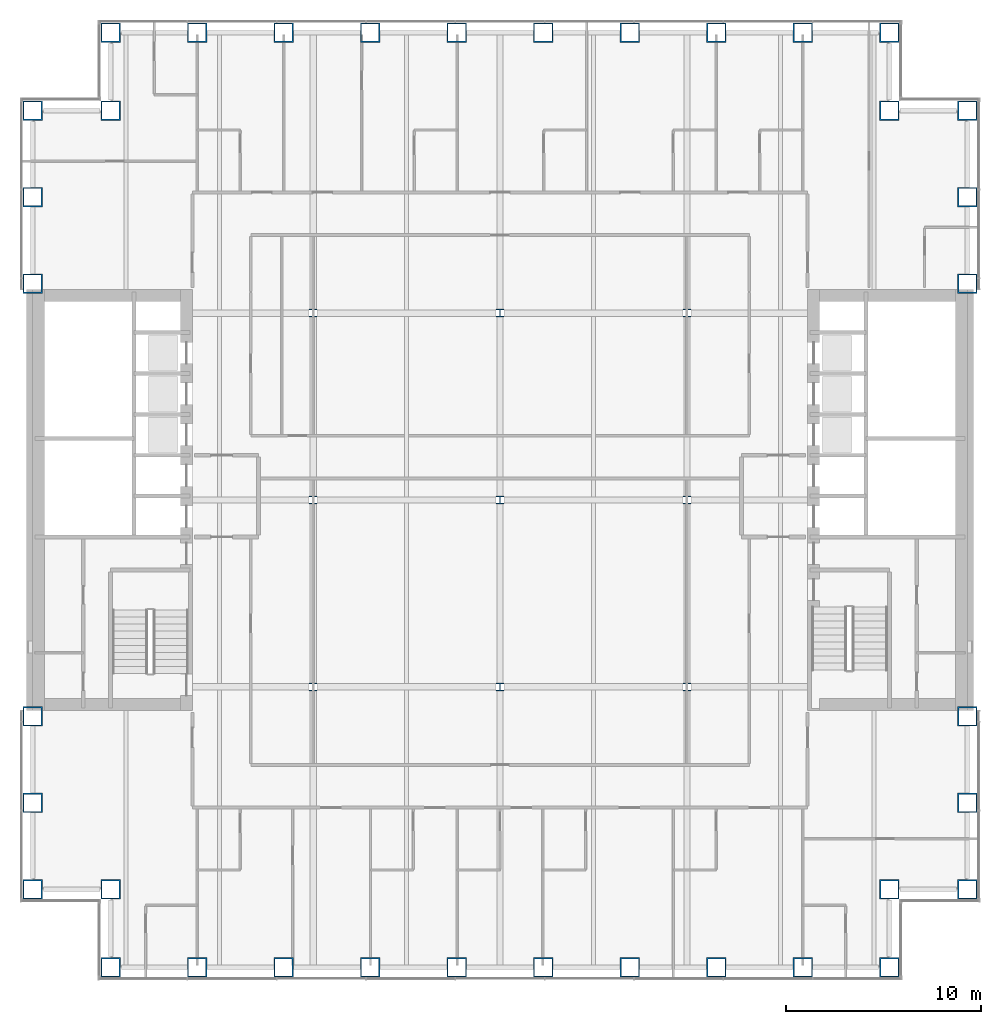
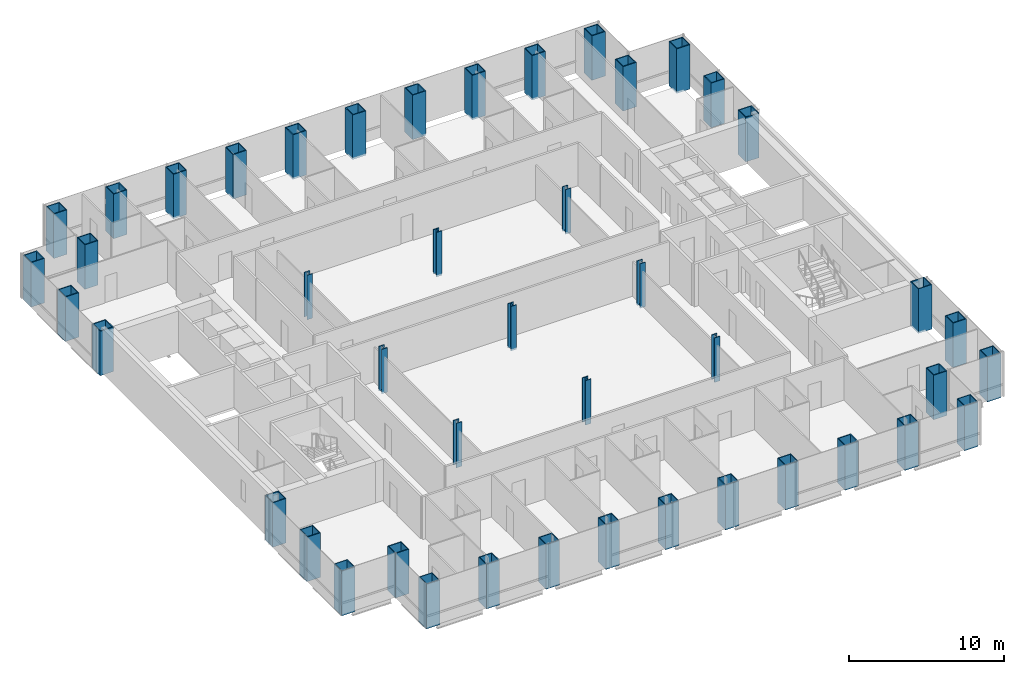
# One storey, part 1 of 21: 45 columns.
"""IFC4 building model written with IfcOpenShell, lengths in metres."""

from ifc_helpers import new_model, si_unit, direction, frame, origin, origin_2d, place, context, subcontext, project, spatial, hollow_rectangle, i_section, extrude, material, material_profile, profile_set, type_object, element, save


model = new_model("IFC4")

# Units and contexts
model_context = context("Model", 3, precision=1e-05, world=origin(), true_north=direction((0.0, 1.0)))
body_context = subcontext(model_context, "Body", "Model", "MODEL_VIEW")
ifc_project = project(units=[si_unit("LENGTHUNIT", "METRE"), si_unit("AREAUNIT", "SQUARE_METRE"), si_unit("VOLUMEUNIT", "CUBIC_METRE"), si_unit("PLANEANGLEUNIT", "RADIAN"), si_unit("MASSUNIT", "GRAM", prefix="KILO")], contexts=[model_context])

# Site, building, storey
site_placement = place(None, origin())
site = spatial("IfcSite", under=ifc_project, at=site_placement, CompositionType="ELEMENT")
building_placement = place(site_placement, origin())
building = spatial("IfcBuilding", under=site, at=building_placement, Name="Cobrizo Arcos Hotel Tower", CompositionType="ELEMENT")
storey_placement = place(building_placement, frame((0.0, 0.0, 42.5)))
storey = spatial("IfcBuildingStorey", under=building, at=storey_placement, Name="L08", CompositionType="ELEMENT", Elevation=42.5)

# Columns
ifc_material_1 = material(Name="Steel ASTM A572 Grade 50", Category="steel")
ifc_material_profile_1 = material_profile(ifc_material_1, hollow_rectangle(XDim=1.0, YDim=1.0, WallThickness=0.06005859375, at=origin_2d()), Name="BOX 1000X1000X60")
ifc_profile_set_1 = profile_set([ifc_material_profile_1], Name="Steel ASTM A572 Grade 50")
column_type_1 = type_object("IfcColumnType", Name="BOX 1000X1000X60 column", PredefinedType="COLUMN", material=ifc_profile_set_1)
for number, where, z_axis, x_axis, name in (
    (1, (-20.0, 24.0, -0.14990234375), (0.0, 0.0, 1.0), (1.0, 0.0, 0.0), "Perimeter column C4, L08, no. 00"),
    (2, (-20.0, -24.0, -0.14990234375), (0.0, 0.0, 1.0), (1.0, 0.0, 0.0), "Perimeter column C4, L08, no. 01"),
    (3, (-15.555908203125, 24.0, -0.14990234375), (0.0, 0.0, 1.0), (1.0, 0.0, 0.0), "Perimeter column C4, L08, no. 02"),
    (4, (-15.555908203125, -24.0, -0.14990234375), (0.0, 0.0, 1.0), (1.0, 0.0, 0.0), "Perimeter column C4, L08, no. 03"),
    (5, (-11.111083984375, 24.0, -0.14990234375), (0.0, 0.0, 1.0), (1.0, 0.0, 0.0), "Perimeter column C4, L08, no. 04"),
    (6, (-11.111083984375, -24.0, -0.14990234375), (0.0, 0.0, 1.0), (1.0, 0.0, 0.0), "Perimeter column C4, L08, no. 05"),
    (7, (-6.6669921875, 24.0, -0.14990234375), (0.0, 0.0, 1.0), (1.0, 0.0, 0.0), "Perimeter column C4, L08, no. 06"),
    (8, (-6.6669921875, -24.0, -0.14990234375), (0.0, 0.0, 1.0), (1.0, 0.0, 0.0), "Perimeter column C4, L08, no. 07"),
    (9, (-2.221923828125, 24.0, -0.14990234375), (0.0, 0.0, 1.0), (1.0, 0.0, 0.0), "Perimeter column C4, L08, no. 08"),
    (10, (-2.221923828125, -24.0, -0.14990234375), (0.0, 0.0, 1.0), (1.0, 0.0, 0.0), "Perimeter column C4, L08, no. 09"),
    (11, (2.221923828125, 24.0, -0.14990234375), (0.0, 0.0, 1.0), (1.0, 0.0, 0.0), "Perimeter column C4, L08, no. 10"),
    (12, (2.221923828125, -24.0, -0.14990234375), (0.0, 0.0, 1.0), (1.0, 0.0, 0.0), "Perimeter column C4, L08, no. 11"),
    (13, (6.6669921875, 24.0, -0.14990234375), (0.0, 0.0, 1.0), (1.0, 0.0, 0.0), "Perimeter column C4, L08, no. 12"),
    (14, (6.6669921875, -24.0, -0.14990234375), (0.0, 0.0, 1.0), (1.0, 0.0, 0.0), "Perimeter column C4, L08, no. 13"),
    (15, (11.111083984375, 24.0, -0.14990234375), (0.0, 0.0, 1.0), (1.0, 0.0, 0.0), "Perimeter column C4, L08, no. 14"),
    (16, (11.111083984375, -24.0, -0.14990234375), (0.0, 0.0, 1.0), (1.0, 0.0, 0.0), "Perimeter column C4, L08, no. 15"),
    (17, (15.555908203125, 24.0, -0.14990234375), (0.0, 0.0, 1.0), (1.0, 0.0, 0.0), "Perimeter column C4, L08, no. 16"),
    (18, (15.555908203125, -24.0, -0.14990234375), (0.0, 0.0, 1.0), (1.0, 0.0, 0.0), "Perimeter column C4, L08, no. 17"),
    (19, (20.0, 24.0, -0.14990234375), (0.0, 0.0, 1.0), (1.0, 0.0, 0.0), "Perimeter column C4, L08, no. 18"),
    (20, (20.0, -24.0, -0.14990234375), (0.0, 0.0, 1.0), (1.0, 0.0, 0.0), "Perimeter column C4, L08, no. 19"),
    (21, (24.0, -20.0, -0.14990234375), (0.0, 0.0, 1.0), (1.0, 0.0, 0.0), "Perimeter column C4, L08, no. 20"),
    (22, (-24.0, -20.0, -0.14990234375), (0.0, 0.0, 1.0), (1.0, 0.0, 0.0), "Perimeter column C4, L08, no. 21"),
    (23, (24.0, -15.555908203125, -0.14990234375), (0.0, 0.0, 1.0), (1.0, 0.0, 0.0), "Perimeter column C4, L08, no. 22"),
    (24, (-24.0, -15.555908203125, -0.14990234375), (0.0, 0.0, 1.0), (1.0, 0.0, 0.0), "Perimeter column C4, L08, no. 23"),
    (25, (24.0, -11.111083984375, -0.14990234375), (0.0, 0.0, 1.0), (1.0, 0.0, 0.0), "Perimeter column C4, L08, no. 24"),
    (26, (-24.0, -11.111083984375, -0.14990234375), (0.0, 0.0, 1.0), (1.0, 0.0, 0.0), "Perimeter column C4, L08, no. 25"),
    (27, (24.0, 11.111083984375, -0.14990234375), (0.0, 0.0, 1.0), (1.0, 0.0, 0.0), "Perimeter column C4, L08, no. 26"),
    (28, (-24.0, 11.111083984375, -0.14990234375), (0.0, 0.0, 1.0), (1.0, 0.0, 0.0), "Perimeter column C4, L08, no. 27"),
    (29, (24.0, 15.555908203125, -0.14990234375), (0.0, 0.0, 1.0), (1.0, 0.0, 0.0), "Perimeter column C4, L08, no. 28"),
    (30, (-24.0, 15.555908203125, -0.14990234375), (0.0, 0.0, 1.0), (1.0, 0.0, 0.0), "Perimeter column C4, L08, no. 29"),
    (31, (24.0, 20.0, -0.14990234375), (0.0, 0.0, 1.0), (1.0, 0.0, 0.0), "Perimeter column C4, L08, no. 30"),
    (32, (-24.0, 20.0, -0.14990234375), (0.0, 0.0, 1.0), (1.0, 0.0, 0.0), "Perimeter column C4, L08, no. 31"),
    (33, (-20.0, -20.0, -0.14990234375), (0.0, 0.0, 1.0), (1.0, 0.0, 0.0), "Perimeter column C4, L08, no. 32"),
    (34, (-20.0, 20.0, -0.14990234375), (0.0, 0.0, 1.0), (1.0, 0.0, 0.0), "Perimeter column C4, L08, no. 33"),
    (35, (20.0, -20.0, -0.14990234375), (0.0, 0.0, 1.0), (1.0, 0.0, 0.0), "Perimeter column C4, L08, no. 34"),
    (36, (20.0, 20.0, -0.14990234375), (0.0, 0.0, 1.0), (1.0, 0.0, 0.0), "Perimeter column C4, L08, no. 35"),
):
    element("IfcColumn", number, at=place(storey_placement, frame(where, z_axis=z_axis, x_axis=x_axis)), inside=storey, type_object=column_type_1, Name=name, PredefinedType="COLUMN", context=body_context, shape_type="SweptSolid", body=[
        extrude(hollow_rectangle(XDim=1.0, YDim=1.0, WallThickness=0.06005859375, at=origin_2d()), origin(), (0.0, 0.0, 1.0), 3.5),
    ])
ifc_material_2 = material(Name="Steel ASTM A992 Grade 50", Category="steel")
ifc_material_profile_2 = material_profile(ifc_material_2, i_section(OverallWidth=0.408935546875, OverallDepth=0.42431640625, WebThickness=0.03271484375, FlangeThickness=0.052490234375, at=origin_2d()), Name="W14X283")
ifc_profile_set_2 = profile_set([ifc_material_profile_2], Name="Steel ASTM A992 Grade 50")
column_type_2 = type_object("IfcColumnType", Name="W14X283 interior column", PredefinedType="COLUMN", material=ifc_profile_set_2)
for number, where, z_axis, x_axis, name in (
    (37, (-9.60009765625, -9.60009765625, -0.14990234375), (0.0, 0.0, 1.0), (1.0, 0.0, 0.0), "Interior column C5, L08, no. 00"),
    (38, (-9.60009765625, 0.0, -0.14990234375), (0.0, 0.0, 1.0), (1.0, 0.0, 0.0), "Interior column C5, L08, no. 01"),
    (39, (-9.60009765625, 9.60009765625, -0.14990234375), (0.0, 0.0, 1.0), (1.0, 0.0, 0.0), "Interior column C5, L08, no. 02"),
    (40, (0.0, -9.60009765625, -0.14990234375), (0.0, 0.0, 1.0), (1.0, 0.0, 0.0), "Interior column C5, L08, no. 03"),
    (41, (0.0, 0.0, -0.14990234375), (0.0, 0.0, 1.0), (1.0, 0.0, 0.0), "Interior column C5, L08, no. 04"),
    (42, (0.0, 9.60009765625, -0.14990234375), (0.0, 0.0, 1.0), (1.0, 0.0, 0.0), "Interior column C5, L08, no. 05"),
    (43, (9.60009765625, -9.60009765625, -0.14990234375), (0.0, 0.0, 1.0), (1.0, 0.0, 0.0), "Interior column C5, L08, no. 06"),
    (44, (9.60009765625, 0.0, -0.14990234375), (0.0, 0.0, 1.0), (1.0, 0.0, 0.0), "Interior column C5, L08, no. 07"),
    (45, (9.60009765625, 9.60009765625, -0.14990234375), (0.0, 0.0, 1.0), (1.0, 0.0, 0.0), "Interior column C5, L08, no. 08"),
):
    element("IfcColumn", number, at=place(storey_placement, frame(where, z_axis=z_axis, x_axis=x_axis)), inside=storey, type_object=column_type_2, Name=name, PredefinedType="COLUMN", context=body_context, shape_type="SweptSolid", body=[
        extrude(i_section(OverallWidth=0.408935546875, OverallDepth=0.42431640625, WebThickness=0.03271484375, FlangeThickness=0.052490234375, at=origin_2d()), origin(), (0.0, 0.0, 1.0), 3.5),
    ])

save(model, "model.ifc")
